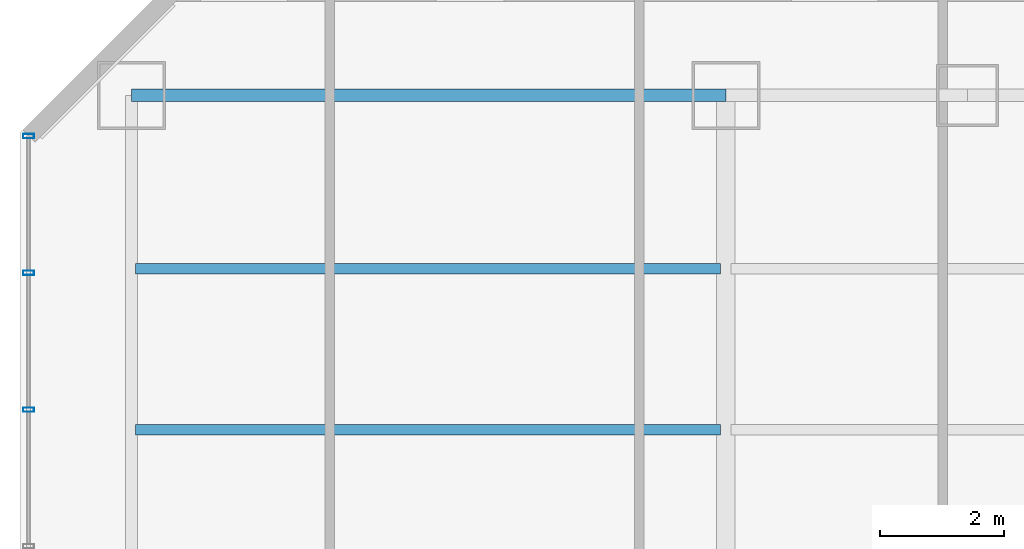
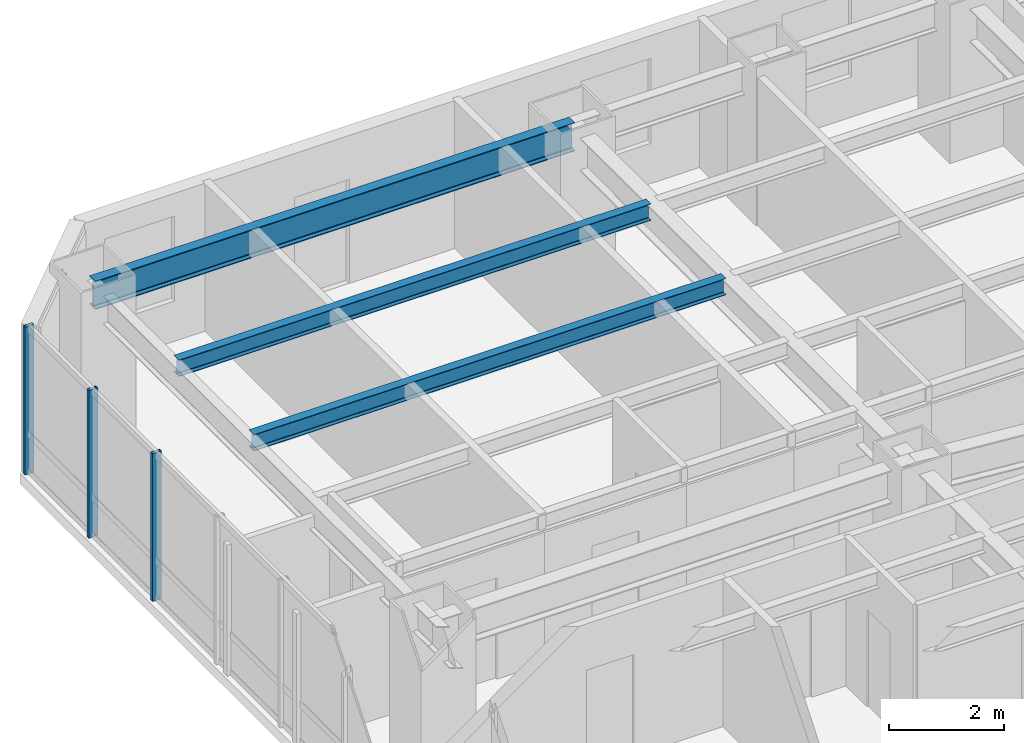
# One storey, part 16 of 32: 3 beams, 3 members, 1 element without a shape of its own.
"""IFC4 building model written with IfcOpenShell, lengths in metres."""

from ifc_helpers import new_model, si_unit, direction, frame, origin, origin_2d, place, context, subcontext, project, spatial, hollow_rectangle, i_section, extrude, material, layer, layer_set, material_profile, profile_set, type_object, element, aggregate, save


model = new_model("IFC4")

# Units and contexts
model_context = context("Model", 3, precision=1e-05, world=origin(), true_north=direction((0.0, 1.0)))
body_context = subcontext(model_context, "Body", "Model", "MODEL_VIEW")
ifc_project = project(units=[si_unit("LENGTHUNIT", "METRE"), si_unit("AREAUNIT", "SQUARE_METRE"), si_unit("VOLUMEUNIT", "CUBIC_METRE"), si_unit("PLANEANGLEUNIT", "RADIAN"), si_unit("MASSUNIT", "GRAM", prefix="KILO")], contexts=[model_context])

# Site, building, storey
site_placement = place(None, origin())
site = spatial("IfcSite", under=ifc_project, at=site_placement, CompositionType="ELEMENT")
building_placement = place(site_placement, origin())
building = spatial("IfcBuilding", under=site, at=building_placement, Name="Hatsunagi Terrace Concourse", CompositionType="ELEMENT")
storey_placement = place(building_placement, frame((0.0, 0.0, 46.64990234375)))
storey = spatial("IfcBuildingStorey", under=building, at=storey_placement, Name="L11", CompositionType="ELEMENT", Elevation=46.64990234375)

# Curtain wall, members
ifc_material_1 = material(Name="Anodised Aluminium Alloy 6063-T5", Category="aluminium")
ifc_layer = layer(ifc_material_1, 0.199951171875)
ifc_layer_set = layer_set([ifc_layer], Name="HotelFacade_CW02")
curtain_wall_type = type_object("IfcCurtainWallType", Name="HotelFacade_CW02", PredefinedType="NOTDEFINED", material=ifc_layer_set)
curtain_wall_placement = place(storey_placement, origin())
curtain_wall = element("IfcCurtainWall", 1, at=curtain_wall_placement, inside=storey, type_object=curtain_wall_type, Name="Unitised Curtain Wall CW-02 CW-L11-09", PredefinedType="NOTDEFINED")
ifc_material_2 = material(Name="Anodised Aluminium Alloy 6063-T5", Category="aluminium")
ifc_material_profile_1 = material_profile(ifc_material_2, hollow_rectangle(XDim=0.070068359375, YDim=0.179931640625, WallThickness=0.00390625, at=origin_2d()), Name="ALU-MUL-180x70x4")
ifc_profile_set_1 = profile_set([ifc_material_profile_1], Name="Anodised Aluminium Alloy 6063-T5")
member_type = type_object("IfcMemberType", Name="CurtainWallMullion_180x70", PredefinedType="MULLION", material=ifc_profile_set_1)
member_1_placement = place(storey_placement, frame((0.139892578125, 43.52490234375, 0.0), z_axis=(0.0, 0.0, 1.0), x_axis=(0.0, 1.0, 0.0)))
member_1 = element("IfcMember", 2, at=member_1_placement, type_object=member_type, Name="Curtain Wall Mullion MUL-02", PredefinedType="MULLION", context=body_context, shape_type="SweptSolid", body=[
    extrude(hollow_rectangle(XDim=0.070068359375, YDim=0.179931640625, WallThickness=0.00390625, at=origin_2d()), origin(), (0.0, 0.0, 1.0), 3.130126953125),
])
member_2_placement = place(storey_placement, frame((0.139892578125, 45.73388671875, 0.0), z_axis=(0.0, 0.0, 1.0), x_axis=(0.0, 1.0, 0.0)))
member_2 = element("IfcMember", 3, at=member_2_placement, type_object=member_type, Name="Curtain Wall Mullion MUL-02", PredefinedType="MULLION", context=body_context, shape_type="SweptSolid", body=[
    extrude(hollow_rectangle(XDim=0.070068359375, YDim=0.179931640625, WallThickness=0.00390625, at=origin_2d()), origin(), (0.0, 0.0, 1.0), 3.130126953125),
])
member_3_placement = place(storey_placement, frame((0.139892578125, 47.94189453125, 0.0), z_axis=(0.0, 0.0, 1.0), x_axis=(0.0, 1.0, 0.0)))
member_3 = element("IfcMember", 4, at=member_3_placement, type_object=member_type, Name="Curtain Wall Mullion MUL-02", PredefinedType="MULLION", context=body_context, shape_type="SweptSolid", body=[
    extrude(hollow_rectangle(XDim=0.070068359375, YDim=0.179931640625, WallThickness=0.00390625, at=origin_2d()), origin(), (0.0, 0.0, 1.0), 3.130126953125),
])
aggregate(curtain_wall, [member_1, member_2, member_3])

# Beams
ifc_material_3 = material(Name="Steel SN490B", Category="steel")
ifc_material_profile_2 = material_profile(ifc_material_3, i_section(OverallWidth=0.175048828125, OverallDepth=0.35009765625, WebThickness=0.007080078125, FlangeThickness=0.010986328125, FilletRadius=0.012939453125, at=origin_2d()), Name="H-350x175x7x11")
ifc_profile_set_2 = profile_set([ifc_material_profile_2], Name="Steel SN490B")
beam_type_1 = type_object("IfcBeamType", Name="HotelJoist_H_350x175", PredefinedType="JOIST", material=ifc_profile_set_2)
for number, where, z_axis, x_axis, name in (
    (5, (1.864990234375, 43.199951171875, 2.955078125), (1.0, 0.0, 0.0), (0.0, 1.0, 0.0), "Beam J-02 J-L11-W-1-432"),
    (6, (1.864990234375, 45.800048828125, 2.955078125), (1.0, 0.0, 0.0), (0.0, 1.0, 0.0), "Beam J-02 J-L11-W-1-458"),
):
    element("IfcBeam", number, at=place(storey_placement, frame(where, z_axis=z_axis, x_axis=x_axis)), inside=storey, type_object=beam_type_1, Name=name, PredefinedType="JOIST", context=body_context, shape_type="SweptSolid", body=[
        extrude(i_section(OverallWidth=0.175048828125, OverallDepth=0.35009765625, WebThickness=0.007080078125, FlangeThickness=0.010986328125, FilletRadius=0.012939453125, at=origin_2d()), origin(), (0.0, 0.0, 1.0), 9.449951171875),
    ])
ifc_material_4 = material(Name="Steel SN490B", Category="steel")
ifc_material_profile_3 = material_profile(ifc_material_4, i_section(OverallWidth=0.199951171875, OverallDepth=0.60009765625, WebThickness=0.010986328125, FlangeThickness=0.01708984375, FilletRadius=0.01806640625, at=origin_2d()), Name="H-600x200x11x17")
ifc_profile_set_3 = profile_set([ifc_material_profile_3], Name="Steel SN490B")
beam_type_2 = type_object("IfcBeamType", Name="PerimeterSpandrel_H_600x200", PredefinedType="SPANDREL", material=ifc_profile_set_3)
beam_placement = place(storey_placement, frame((1.800048828125, 48.60009765625, 2.830078125), z_axis=(1.0, 0.0, 0.0), x_axis=(0.0, 1.0, 0.0)))
element("IfcBeam", 7, at=beam_placement, inside=storey, type_object=beam_type_2, Name="Beam SP-01 BM-L11-WN-1", PredefinedType="SPANDREL", context=body_context, shape_type="SweptSolid", body=[
    extrude(i_section(OverallWidth=0.199951171875, OverallDepth=0.60009765625, WebThickness=0.010986328125, FlangeThickness=0.01708984375, FilletRadius=0.01806640625, at=origin_2d()), origin(), (0.0, 0.0, 1.0), 9.599853515625),
])

save(model, "model.ifc")
